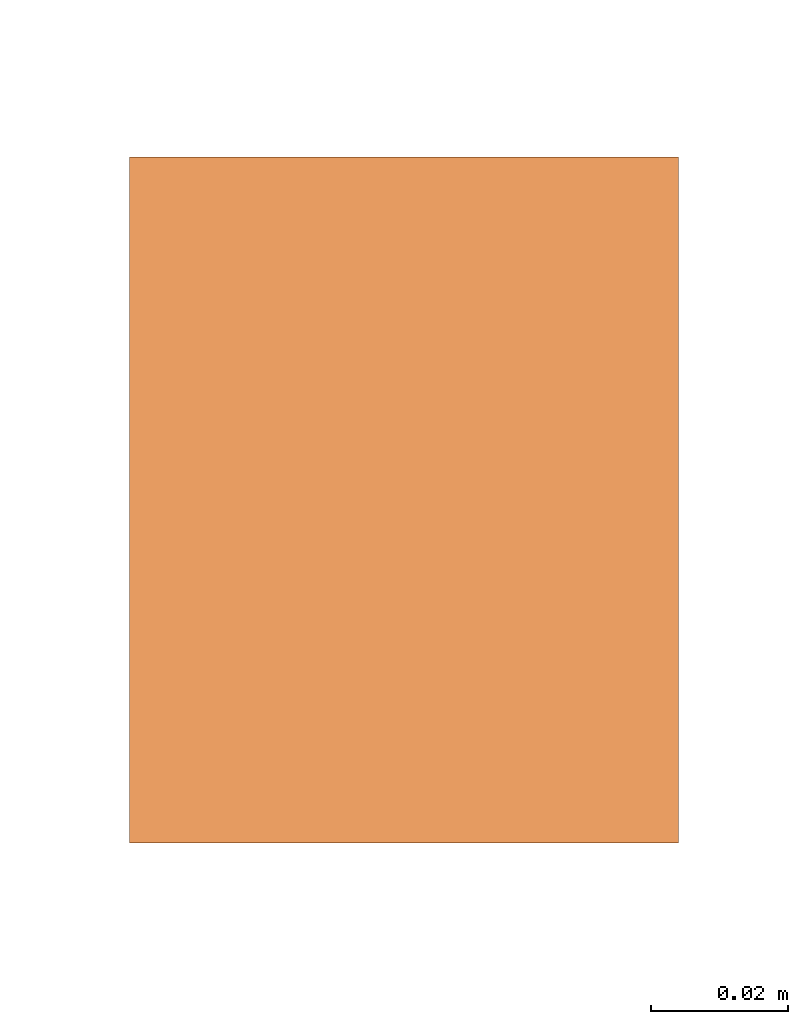
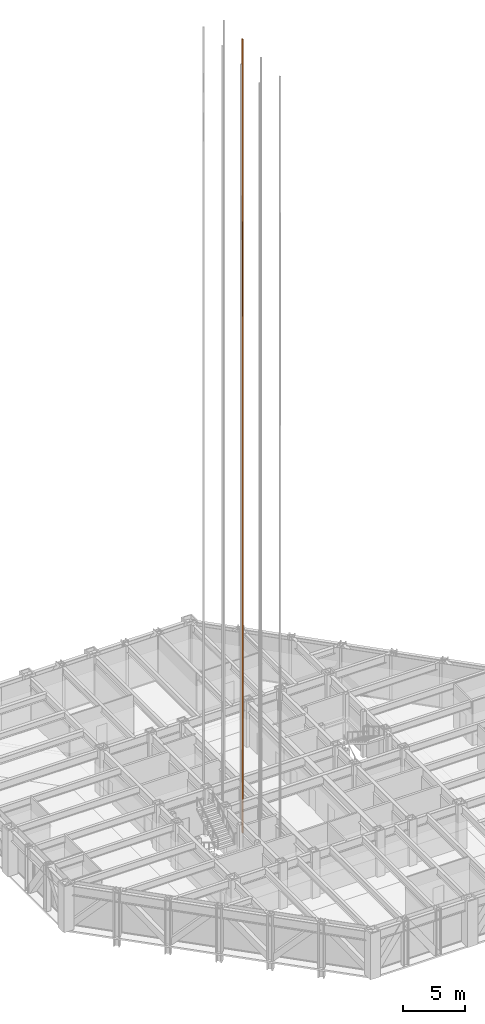
# One storey, part 24 of 26: 1 proxy.
"""IFC4 building model written with IfcOpenShell, lengths in metres."""

from ifc_helpers import new_model, si_unit, direction, frame, origin, origin_2d, place, context, subcontext, project, spatial, rectangle, extrude, material, type_object, element, save


model = new_model("IFC4")

# Units and contexts
model_context = context("Model", 3, precision=1e-05, world=origin(), true_north=direction((0.0, 1.0)))
body_context = subcontext(model_context, "Body", "Model", "MODEL_VIEW")
ifc_project = project(units=[si_unit("LENGTHUNIT", "METRE"), si_unit("AREAUNIT", "SQUARE_METRE"), si_unit("VOLUMEUNIT", "CUBIC_METRE"), si_unit("PLANEANGLEUNIT", "RADIAN"), si_unit("MASSUNIT", "GRAM", prefix="KILO")], contexts=[model_context])

# Site, building, storey
site_placement = place(None, origin())
site = spatial("IfcSite", under=ifc_project, at=site_placement, CompositionType="ELEMENT")
building_placement = place(site_placement, origin())
building = spatial("IfcBuilding", under=site, at=building_placement, Name="Chuquiago Exchange Tower", CompositionType="ELEMENT")
storey_placement = place(building_placement, frame((0.0, 0.0, 102.300048828125)))
storey = spatial("IfcBuildingStorey", under=building, at=storey_placement, Name="L21", CompositionType="ELEMENT", Elevation=102.300048828125)

# Proxy
ifc_material = material(Name="Galvanised steel guide rail", Category="steel")
building_element_proxy_type = type_object("IfcBuildingElementProxyType", Name="LR lift guide rail", PredefinedType="NOTDEFINED", material=ifc_material)
proxy_placement = place(storey_placement, frame((18.93505859375, 22.5, 0.0), z_axis=(0.0, 0.0, 1.0), x_axis=(1.0, 0.0, 0.0)))
element("IfcBuildingElementProxy", 1, at=proxy_placement, inside=storey, type_object=building_element_proxy_type, Name="Lift LB3 guide rail E", PredefinedType="NOTDEFINED", context=body_context, shape_type="SweptSolid", body=[
    extrude(rectangle(XDim=0.080078125, YDim=0.10009765625, at=origin_2d()), origin(), (0.0, 0.0, 1.0), 77.699951171875),
])

save(model, "model.ifc")
